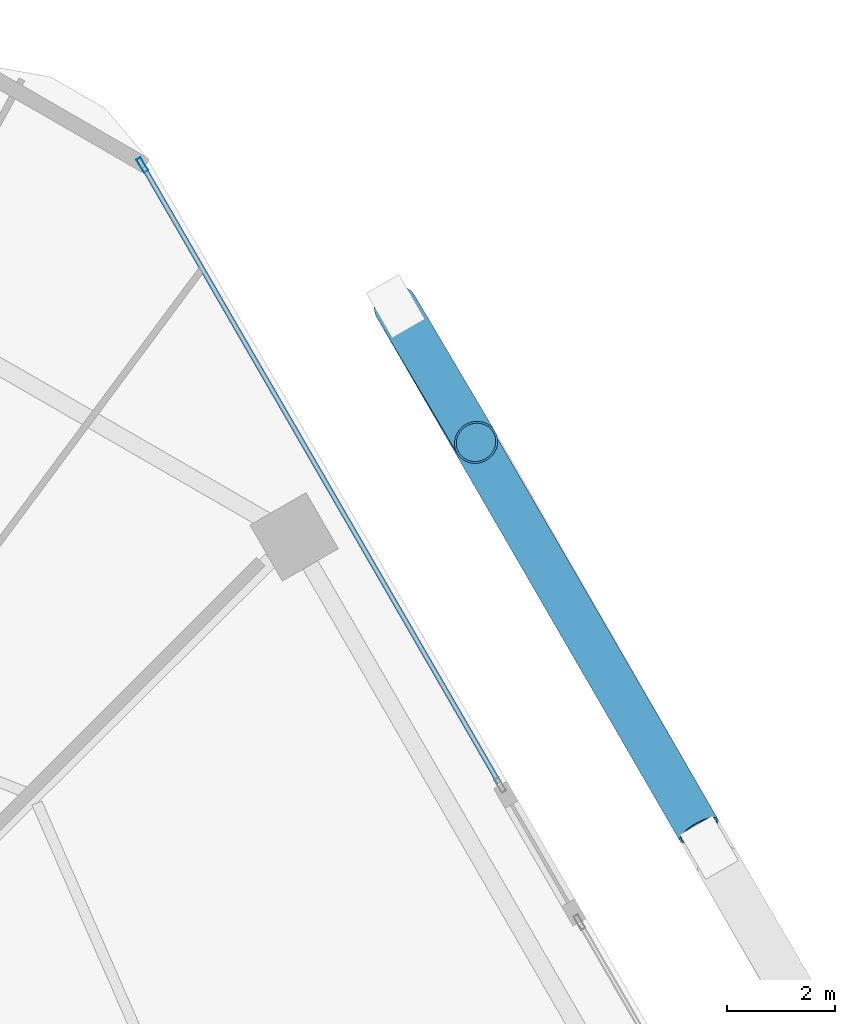
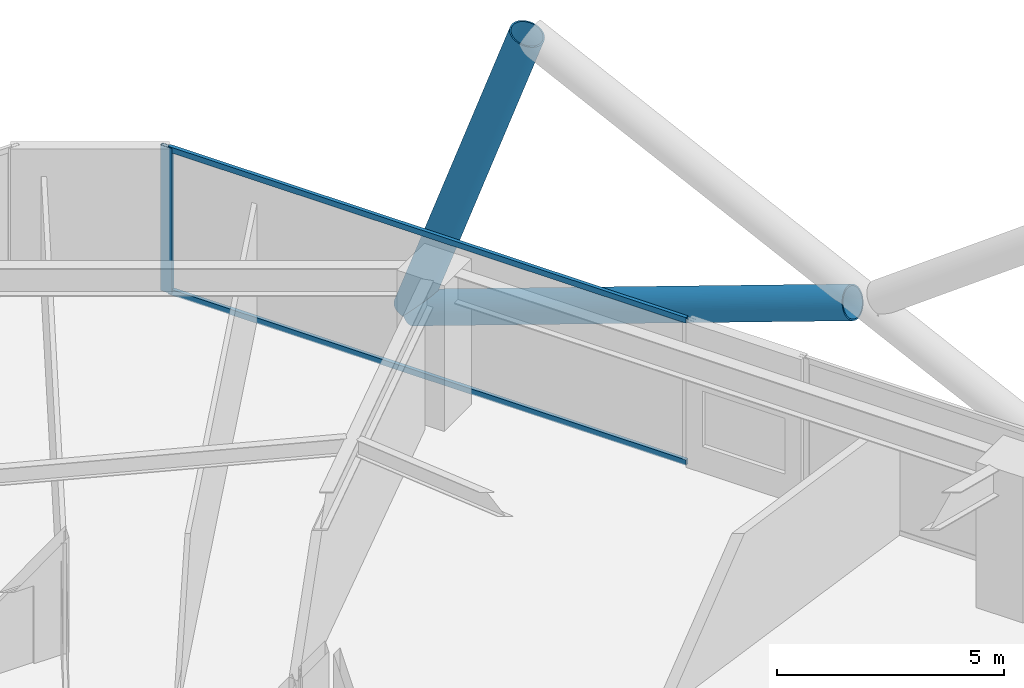
# One storey, part 22 of 28: 5 members, 1 element without a shape of its own.
"""IFC4 building model written with IfcOpenShell, lengths in metres."""

from ifc_helpers import new_model, si_unit, direction, frame, origin, origin_2d, place, context, subcontext, project, spatial, hollow_rectangle, hollow_circle, extrude, material, material_profile, profile_set, type_object, element, aggregate, save


model = new_model("IFC4")

# Units and contexts
model_context = context("Model", 3, precision=1e-05, world=origin(), true_north=direction((0.0, 1.0)))
body_context = subcontext(model_context, "Body", "Model", "MODEL_VIEW")
ifc_project = project(units=[si_unit("LENGTHUNIT", "METRE"), si_unit("AREAUNIT", "SQUARE_METRE"), si_unit("VOLUMEUNIT", "CUBIC_METRE"), si_unit("PLANEANGLEUNIT", "RADIAN"), si_unit("MASSUNIT", "GRAM", prefix="KILO")], contexts=[model_context])

# Site, building, storey
site_placement = place(None, origin())
site = spatial("IfcSite", under=ifc_project, at=site_placement, CompositionType="ELEMENT")
building_placement = place(site_placement, origin())
building = spatial("IfcBuilding", under=site, at=building_placement, Name="Zuhravey Tower", CompositionType="ELEMENT")
storey_placement = place(building_placement, frame((0.0, 0.0, 75.0)))
storey = spatial("IfcBuildingStorey", under=building, at=storey_placement, Name="L18", CompositionType="ELEMENT", Elevation=75.0)

# Curtain wall, members
ifc_material_1 = material(Name="Thermally broken anodised aluminium", Category="aluminium")
curtain_wall_type = type_object("IfcCurtainWallType", Name="School Low-E Unitised Curtain Wall CW1", PredefinedType="NOTDEFINED", material=ifc_material_1)
curtain_wall_placement = place(storey_placement, origin())
curtain_wall = element("IfcCurtainWall", 1, at=curtain_wall_placement, inside=storey, type_object=curtain_wall_type, Name="L18 CW1 CW-L18-F1-1", PredefinedType="NOTDEFINED")
ifc_material_2 = material(Name="Anodised aluminium", Category="aluminium")
ifc_material_profile_1 = material_profile(ifc_material_2, hollow_rectangle(XDim=0.090087890625, YDim=0.284912109375, WallThickness=0.0048828125, at=origin_2d()), Name="ALU-RHS-90x285x5")
ifc_profile_set_1 = profile_set([ifc_material_profile_1], Name="Anodised aluminium")
member_type_1 = type_object("IfcMemberType", Name="Curtain-Wall Mullion 90x180", PredefinedType="MULLION", material=ifc_profile_set_1)
member_1_placement = place(storey_placement, frame((53.701416015625, 59.257080078125, 0.0), z_axis=(0.0, 0.0, 1.0), x_axis=(0.866027830768, 0.499995796318, 0.0)))
member_1 = element("IfcMember", 2, at=member_1_placement, type_object=member_type_1, Name="CW1 mullion 1", PredefinedType="MULLION", context=body_context, shape_type="SweptSolid", body=[
    extrude(hollow_rectangle(XDim=0.090087890625, YDim=0.284912109375, WallThickness=0.0048828125, at=origin_2d()), origin(), (0.0, 0.0, 1.0), 3.919921875),
])
ifc_material_profile_2 = material_profile(ifc_material_2, hollow_rectangle(XDim=0.090087890625, YDim=0.14990234375, WallThickness=0.0048828125, at=origin_2d()), Name="ALU-RHS-90x150x5")
ifc_profile_set_2 = profile_set([ifc_material_profile_2], Name="Anodised aluminium")
member_type_2 = type_object("IfcMemberType", Name="Curtain-Wall Transom 90x150", PredefinedType="USERDEFINED", material=ifc_profile_set_2)
member_2_placement = place(storey_placement, frame((53.72412109375, 59.218017578125, 0.044921875), z_axis=(0.499995809012, -0.866027823439, 0.0), x_axis=(0.866027823439, 0.499995809012, 0.0)))
member_2 = element("IfcMember", 3, at=member_2_placement, type_object=member_type_2, Name="CW1 transom 1.1", ObjectType="TRANSOM", PredefinedType="USERDEFINED", context=body_context, shape_type="SweptSolid", body=[
    extrude(hollow_rectangle(XDim=0.090087890625, YDim=0.14990234375, WallThickness=0.0048828125, at=origin_2d()), origin(), (0.0, 0.0, 1.0), 13.1943359375),
])
member_3_placement = place(storey_placement, frame((53.72412109375, 59.218017578125, 3.875), z_axis=(0.499995809012, -0.866027823439, 0.0), x_axis=(0.866027823439, 0.499995809012, 0.0)))
member_3 = element("IfcMember", 4, at=member_3_placement, type_object=member_type_2, Name="CW1 transom 1.2", ObjectType="TRANSOM", PredefinedType="USERDEFINED", context=body_context, shape_type="SweptSolid", body=[
    extrude(hollow_rectangle(XDim=0.090087890625, YDim=0.14990234375, WallThickness=0.0048828125, at=origin_2d()), origin(), (0.0, 0.0, 1.0), 13.1943359375),
])
aggregate(curtain_wall, [member_1, member_2, member_3])

# Members
ifc_material_3 = material(Name="Steel SM460", Category="steel")
ifc_material_profile_3 = material_profile(ifc_material_3, hollow_circle(Radius=0.406494140625, WallThickness=0.035888671875, at=origin_2d()), Name="CHS-812.8x36")
ifc_profile_set_3 = profile_set([ifc_material_profile_3], Name="Steel SM460")
member_type_3 = type_object("IfcMemberType", Name="Exoskeleton Zone 1 Diagrid CHS813x36", PredefinedType="BRACE", material=ifc_profile_set_3)
member_4_placement = place(storey_placement, frame((58.404541015625, 56.63134765625, -0.471923828125), z_axis=(0.168255765182, -0.284672651548, 0.943743333192), x_axis=(0.860873401885, 0.508819207507, 0.0)))
element("IfcMember", 5, at=member_4_placement, inside=storey, type_object=member_type_3, Name="L18 Face 1 Diagrid Brace 4", PredefinedType="BRACE", context=body_context, shape_type="SweptSolid", body=[
    extrude(hollow_circle(Radius=0.406494140625, WallThickness=0.035888671875, at=origin_2d()), origin(), (0.0, 0.0, 1.0), 8.85400390625),
])
member_5_placement = place(storey_placement, frame((58.42431640625, 56.596923828125, -0.476806640625), z_axis=(0.471219338918, -0.813758287906, 0.340220198539), x_axis=(0.865381959658, 0.501112825518, 0.0)))
element("IfcMember", 6, at=member_5_placement, inside=storey, type_object=member_type_3, Name="L18 Face 1 Split Diagrid Brace 3A", PredefinedType="BRACE", context=body_context, shape_type="SweptSolid", body=[
    extrude(hollow_circle(Radius=0.406494140625, WallThickness=0.035888671875, at=origin_2d()), origin(), (0.0, 0.0, 1.0), 11.897705078125),
])

save(model, "model.ifc")
